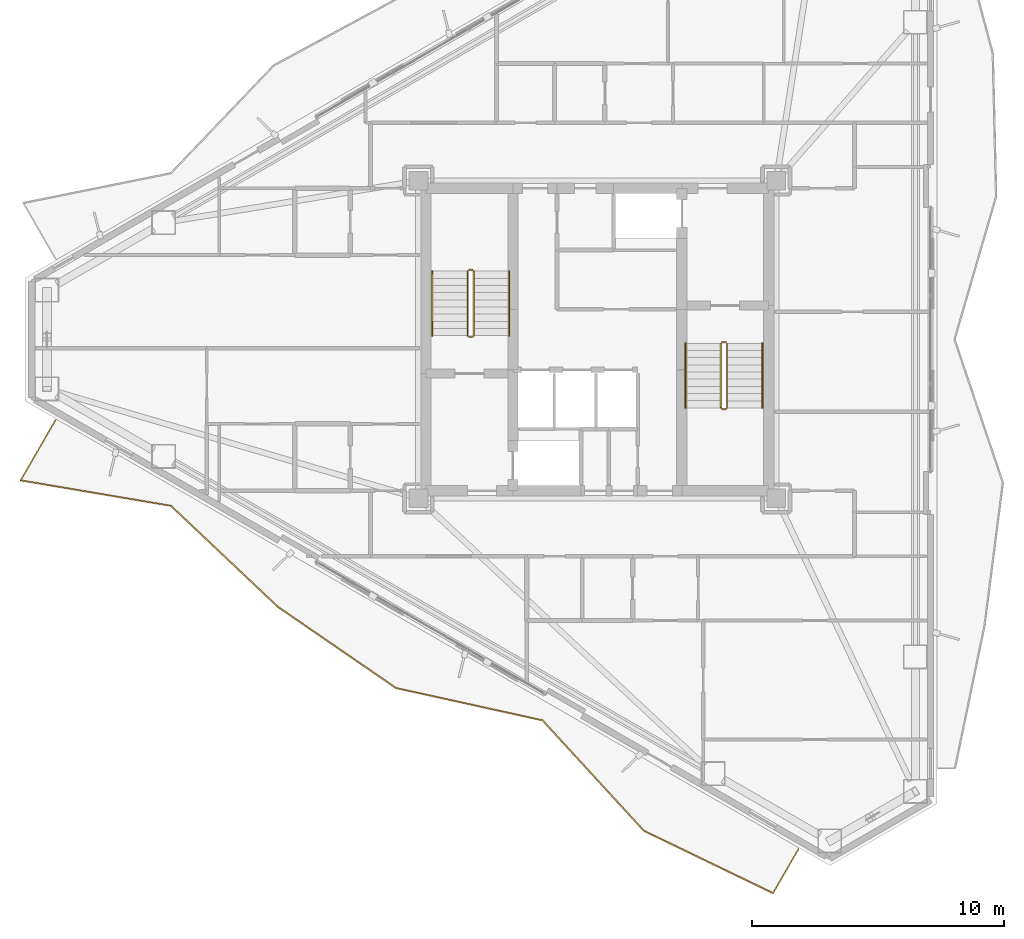
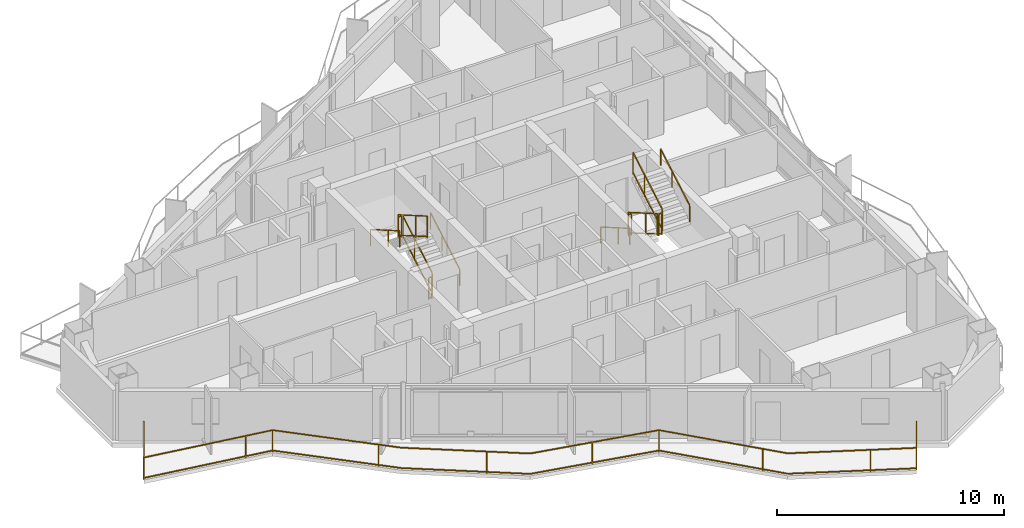
# One storey, part 18 of 19: 13 railings.
"""IFC4 building model written with IfcOpenShell, lengths in metres."""

from ifc_helpers import new_model, si_unit, direction, frame, origin, origin_2d, place, context, subcontext, project, spatial, rectangle, extrude, material, type_object, element, save


model = new_model("IFC4")

# Units and contexts
model_context = context("Model", 3, precision=1e-05, world=origin(), true_north=direction((0.0, 1.0)))
body_context = subcontext(model_context, "Body", "Model", "MODEL_VIEW")
ifc_project = project(units=[si_unit("LENGTHUNIT", "METRE"), si_unit("AREAUNIT", "SQUARE_METRE"), si_unit("VOLUMEUNIT", "CUBIC_METRE"), si_unit("PLANEANGLEUNIT", "RADIAN"), si_unit("MASSUNIT", "GRAM", prefix="KILO")], contexts=[model_context])

# Site, building, storey
site_placement = place(None, origin())
site = spatial("IfcSite", under=ifc_project, at=site_placement, CompositionType="ELEMENT")
building_placement = place(site_placement, origin())
building = spatial("IfcBuilding", under=site, at=building_placement, Name="Mersakhor Tower and Convention Hall", CompositionType="ELEMENT")
storey_placement = place(building_placement, frame((0.0, 0.0, 127.800048828125)))
storey = spatial("IfcBuildingStorey", under=building, at=storey_placement, Name="L35", CompositionType="ELEMENT", Elevation=127.800048828125)

# Railings
ifc_material_1 = material(Name="Powder-coated galvanised steel and laminated glass balustrade", Category="steel")
railing_type_1 = type_object("IfcRailingType", Name="RL-BAL-1200", PredefinedType="BALUSTRADE", material=ifc_material_1)
railing_1_placement = place(storey_placement, frame((7.497802734375, 23.5537109375, 0.0)))
element("IfcRailing", 1, at=railing_1_placement, inside=storey, type_object=railing_type_1, Name="L35 Sinusoidal Balcony Balustrade F3", PredefinedType="BALUSTRADE", context=body_context, shape_type="SweptSolid", body=[
    extrude(rectangle(XDim=0.048095703125, YDim=0.048095703125, at=origin_2d()), frame((0.0, 0.0, 1.17578125), z_axis=(-0.500003336238, -0.866023477598, 0.0), x_axis=(0.866023477598, -0.500003336238, 0.0)), (0.0, 0.0, 1.0), 2.7587890625),
    extrude(rectangle(XDim=0.048095703125, YDim=0.048095703125, at=origin_2d()), frame((0.0, 0.0, 0.080078125), z_axis=(-0.500003336238, -0.866023477598, 0.0), x_axis=(0.866023477598, -0.500003336238, 0.0)), (0.0, 0.0, 1.0), 2.7587890625),
    extrude(rectangle(XDim=0.048095703125, YDim=0.048095703125, at=origin_2d()), frame((-1.37939453125, -2.38916015625, 1.17578125), z_axis=(0.985955558616, -0.16700789333, 0.0), x_axis=(0.16700789333, 0.985955558616, 0.0)), (0.0, 0.0, 1.0), 6.053466796875),
    extrude(rectangle(XDim=0.048095703125, YDim=0.048095703125, at=origin_2d()), frame((-1.37939453125, -2.38916015625, 0.080078125), z_axis=(0.985955558616, -0.16700789333, 0.0), x_axis=(0.16700789333, 0.985955558616, 0.0)), (0.0, 0.0, 1.0), 6.053466796875),
    extrude(rectangle(XDim=0.048095703125, YDim=0.048095703125, at=origin_2d()), frame((4.589111328125, -3.400146484375, 1.17578125), z_axis=(0.726913312876, -0.686729230165, 0.0), x_axis=(0.686729230165, 0.726913312876, 0.0)), (0.0, 0.0, 1.0), 5.83251953125),
    extrude(rectangle(XDim=0.048095703125, YDim=0.048095703125, at=origin_2d()), frame((4.589111328125, -3.400146484375, 0.080078125), z_axis=(0.726913312876, -0.686729230165, 0.0), x_axis=(0.686729230165, 0.726913312876, 0.0)), (0.0, 0.0, 1.0), 5.83251953125),
    extrude(rectangle(XDim=0.048095703125, YDim=0.048095703125, at=origin_2d()), frame((8.828857421875, -7.405517578125, 1.17578125), z_axis=(0.82413452436, -0.566394108159, 0.0), x_axis=(0.566394108159, 0.82413452436, 0.0)), (0.0, 0.0, 1.0), 5.69189453125),
    extrude(rectangle(XDim=0.048095703125, YDim=0.048095703125, at=origin_2d()), frame((8.828857421875, -7.405517578125, 0.080078125), z_axis=(0.82413452436, -0.566394108159, 0.0), x_axis=(0.566394108159, 0.82413452436, 0.0)), (0.0, 0.0, 1.0), 5.69189453125),
    extrude(rectangle(XDim=0.048095703125, YDim=0.048095703125, at=origin_2d()), frame((13.519775390625, -10.62939453125, 1.17578125), z_axis=(0.976509305748, -0.215475232424, 0.0), x_axis=(0.215475232424, 0.976509305748, 0.0)), (0.0, 0.0, 1.0), 5.951904296875),
    extrude(rectangle(XDim=0.048095703125, YDim=0.048095703125, at=origin_2d()), frame((13.519775390625, -10.62939453125, 0.080078125), z_axis=(0.976509305748, -0.215475232424, 0.0), x_axis=(0.215475232424, 0.976509305748, 0.0)), (0.0, 0.0, 1.0), 5.951904296875),
    extrude(rectangle(XDim=0.048095703125, YDim=0.048095703125, at=origin_2d()), frame((19.331787109375, -11.911865234375, 1.17578125), z_axis=(0.676252305475, -0.736670088533, 0.0), x_axis=(0.736670088533, 0.676252305475, 0.0)), (0.0, 0.0, 1.0), 5.9482421875),
    extrude(rectangle(XDim=0.048095703125, YDim=0.048095703125, at=origin_2d()), frame((19.331787109375, -11.911865234375, 0.080078125), z_axis=(0.676252305475, -0.736670088533, 0.0), x_axis=(0.736670088533, 0.676252305475, 0.0)), (0.0, 0.0, 1.0), 5.9482421875),
    extrude(rectangle(XDim=0.048095703125, YDim=0.048095703125, at=origin_2d()), frame((23.354248046875, -16.293701171875, 1.17578125), z_axis=(0.900603762937, -0.434641072823, 0.0), x_axis=(0.434641072823, 0.900603762937, 0.0)), (0.0, 0.0, 1.0), 5.690185546875),
    extrude(rectangle(XDim=0.048095703125, YDim=0.048095703125, at=origin_2d()), frame((23.354248046875, -16.293701171875, 0.080078125), z_axis=(0.900603762937, -0.434641072823, 0.0), x_axis=(0.434641072823, 0.900603762937, 0.0)), (0.0, 0.0, 1.0), 5.690185546875),
    extrude(rectangle(XDim=0.048095703125, YDim=0.048095703125, at=origin_2d()), frame((28.478759765625, -18.766845703125, 1.17578125), z_axis=(0.499960381356, 0.866048276411, 0.0), x_axis=(-0.866048276411, 0.499960381356, 0.0)), (0.0, 0.0, 1.0), 2.013427734375),
    extrude(rectangle(XDim=0.048095703125, YDim=0.048095703125, at=origin_2d()), frame((28.478759765625, -18.766845703125, 0.080078125), z_axis=(0.499960381356, 0.866048276411, 0.0), x_axis=(-0.866048276411, 0.499960381356, 0.0)), (0.0, 0.0, 1.0), 2.013427734375),
    extrude(rectangle(XDim=0.0419921875, YDim=0.0419921875, at=origin_2d()), origin(), (0.0, 0.0, 1.0), 1.15185546875),
    extrude(rectangle(XDim=0.0419921875, YDim=0.0419921875, at=origin_2d()), frame((-1.37939453125, -2.38916015625, 0.0)), (0.0, 0.0, 1.0), 1.15185546875),
    extrude(rectangle(XDim=0.0419921875, YDim=0.0419921875, at=origin_2d()), frame((3.353271484375, -3.19091796875, 0.0)), (0.0, 0.0, 1.0), 1.15185546875),
    extrude(rectangle(XDim=0.0419921875, YDim=0.0419921875, at=origin_2d()), frame((4.589111328125, -3.400146484375, 0.0)), (0.0, 0.0, 1.0), 1.15185546875),
    extrude(rectangle(XDim=0.0419921875, YDim=0.0419921875, at=origin_2d()), frame((8.078369140625, -6.696533203125, 0.0)), (0.0, 0.0, 1.0), 1.15185546875),
    extrude(rectangle(XDim=0.0419921875, YDim=0.0419921875, at=origin_2d()), frame((11.933837890625, -9.539306640625, 0.0)), (0.0, 0.0, 1.0), 1.15185546875),
    extrude(rectangle(XDim=0.0419921875, YDim=0.0419921875, at=origin_2d()), frame((16.327880859375, -11.2490234375, 0.0)), (0.0, 0.0, 1.0), 1.15185546875),
    extrude(rectangle(XDim=0.0419921875, YDim=0.0419921875, at=origin_2d()), frame((19.331787109375, -11.911865234375, 0.0)), (0.0, 0.0, 1.0), 1.15185546875),
    extrude(rectangle(XDim=0.0419921875, YDim=0.0419921875, at=origin_2d()), frame((22.577880859375, -15.447998046875, 0.0)), (0.0, 0.0, 1.0), 1.15185546875),
    extrude(rectangle(XDim=0.0419921875, YDim=0.0419921875, at=origin_2d()), frame((26.64306640625, -17.880859375, 0.0)), (0.0, 0.0, 1.0), 1.15185546875),
    extrude(rectangle(XDim=0.0419921875, YDim=0.0419921875, at=origin_2d()), frame((28.478759765625, -18.766845703125, 0.0)), (0.0, 0.0, 1.0), 1.15185546875),
    extrude(rectangle(XDim=0.0419921875, YDim=0.0419921875, at=origin_2d()), frame((29.4853515625, -17.023193359375, 0.0)), (0.0, 0.0, 1.0), 1.15185546875),
])
ifc_material_2 = material(Name="Brushed stainless steel handrail", Category="steel")
railing_type_2 = type_object("IfcRailingType", Name="RL-HR-900", PredefinedType="HANDRAIL", material=ifc_material_2)
railing_2_placement = place(storey_placement, frame((25.5, 26.89990234375, 0.1650390625)))
element("IfcRailing", 2, at=railing_2_placement, inside=storey, type_object=railing_type_2, Name="L35 ST-1 stair handrail 1", PredefinedType="HANDRAIL", context=body_context, shape_type="SweptSolid", body=[
    extrude(rectangle(XDim=0.048095703125, YDim=0.048095703125, at=origin_2d()), frame((0.0, 0.0, 0.8759765625), z_axis=(0.0, 0.865461999751, 0.500974577186), x_axis=(-1.0, 0.0, 0.0)), (0.0, 0.0, 1.0), 2.9638671875),
    extrude(rectangle(XDim=0.0419921875, YDim=0.0419921875, at=origin_2d()), origin(), (0.0, 0.0, 1.0), 0.851806640625),
    extrude(rectangle(XDim=0.0419921875, YDim=0.0419921875, at=origin_2d()), frame((0.0, 1.557861328125, 0.90185546875)), (0.0, 0.0, 1.0), 0.851806640625),
    extrude(rectangle(XDim=0.0419921875, YDim=0.0419921875, at=origin_2d()), frame((0.0, 2.565185546875, 1.48486328125)), (0.0, 0.0, 1.0), 0.851806640625),
])
railing_3_placement = place(storey_placement, frame((22.449951171875, 29.465087890625, 1.81494140625)))
element("IfcRailing", 3, at=railing_3_placement, inside=storey, type_object=railing_type_2, Name="L35 ST-1 stair handrail 2", PredefinedType="HANDRAIL", context=body_context, shape_type="SweptSolid", body=[
    extrude(rectangle(XDim=0.048095703125, YDim=0.048095703125, at=origin_2d()), frame((0.0, 0.0, 0.8759765625), z_axis=(0.0, -0.865426285481, 0.501036270542), x_axis=(1.0, 0.0, 0.0)), (0.0, 0.0, 1.0), 2.964111328125),
    extrude(rectangle(XDim=0.0419921875, YDim=0.0419921875, at=origin_2d()), origin(), (0.0, 0.0, 1.0), 0.851806640625),
    extrude(rectangle(XDim=0.0419921875, YDim=0.0419921875, at=origin_2d()), frame((0.0, -1.557861328125, 0.90185546875)), (0.0, 0.0, 1.0), 0.851806640625),
    extrude(rectangle(XDim=0.0419921875, YDim=0.0419921875, at=origin_2d()), frame((0.0, -2.565185546875, 1.485107421875)), (0.0, 0.0, 1.0), 0.851806640625),
])
railing_4_placement = place(storey_placement, frame((32.5, 26.60009765625, 0.1650390625)))
element("IfcRailing", 4, at=railing_4_placement, inside=storey, type_object=railing_type_2, Name="L35 ST-2 stair handrail 1", PredefinedType="HANDRAIL", context=body_context, shape_type="SweptSolid", body=[
    extrude(rectangle(XDim=0.048095703125, YDim=0.048095703125, at=origin_2d()), frame((0.0, 0.0, 0.8759765625), z_axis=(0.0, -0.865461999751, 0.500974577186), x_axis=(1.0, 0.0, 0.0)), (0.0, 0.0, 1.0), 2.9638671875),
    extrude(rectangle(XDim=0.0419921875, YDim=0.0419921875, at=origin_2d()), origin(), (0.0, 0.0, 1.0), 0.851806640625),
    extrude(rectangle(XDim=0.0419921875, YDim=0.0419921875, at=origin_2d()), frame((0.0, -1.557861328125, 0.90185546875)), (0.0, 0.0, 1.0), 0.851806640625),
    extrude(rectangle(XDim=0.0419921875, YDim=0.0419921875, at=origin_2d()), frame((0.0, -2.565185546875, 1.48486328125)), (0.0, 0.0, 1.0), 0.851806640625),
])
railing_5_placement = place(storey_placement, frame((35.550048828125, 24.034912109375, 1.81494140625)))
element("IfcRailing", 5, at=railing_5_placement, inside=storey, type_object=railing_type_2, Name="L35 ST-2 stair handrail 2", PredefinedType="HANDRAIL", context=body_context, shape_type="SweptSolid", body=[
    extrude(rectangle(XDim=0.048095703125, YDim=0.048095703125, at=origin_2d()), frame((0.0, 0.0, 0.8759765625), z_axis=(0.0, 0.865426285481, 0.501036270542), x_axis=(-1.0, 0.0, 0.0)), (0.0, 0.0, 1.0), 2.964111328125),
    extrude(rectangle(XDim=0.0419921875, YDim=0.0419921875, at=origin_2d()), origin(), (0.0, 0.0, 1.0), 0.851806640625),
    extrude(rectangle(XDim=0.0419921875, YDim=0.0419921875, at=origin_2d()), frame((0.0, 1.557861328125, 0.90185546875)), (0.0, 0.0, 1.0), 0.851806640625),
    extrude(rectangle(XDim=0.0419921875, YDim=0.0419921875, at=origin_2d()), frame((0.0, 2.565185546875, 1.485107421875)), (0.0, 0.0, 1.0), 0.851806640625),
])
ifc_material_3 = material(Name="Painted steel stair balustrade S355", Category="steel")
railing_type_3 = type_object("IfcRailingType", Name="RL-STG-1200", PredefinedType="BALUSTRADE", material=ifc_material_3)
railing_6_placement = place(storey_placement, frame((24.10009765625, 26.89990234375, 0.1650390625)))
element("IfcRailing", 6, at=railing_6_placement, inside=storey, type_object=railing_type_3, Name="L35 ST-1 stair guard 1", PredefinedType="BALUSTRADE", context=body_context, shape_type="SweptSolid", body=[
    extrude(rectangle(XDim=0.048095703125, YDim=0.048095703125, at=origin_2d()), frame((0.0, 0.0, 1.17578125), z_axis=(0.0, 0.865461999751, 0.500974577186), x_axis=(-1.0, 0.0, 0.0)), (0.0, 0.0, 1.0), 2.9638671875),
    extrude(rectangle(XDim=0.048095703125, YDim=0.048095703125, at=origin_2d()), frame((0.0, 0.0, 0.080078125), z_axis=(0.0, 0.865461999751, 0.500974577186), x_axis=(-1.0, 0.0, 0.0)), (0.0, 0.0, 1.0), 2.9638671875),
    extrude(rectangle(XDim=0.0419921875, YDim=0.0419921875, at=origin_2d()), origin(), (0.0, 0.0, 1.0), 1.15185546875),
    extrude(rectangle(XDim=0.0419921875, YDim=0.0419921875, at=origin_2d()), frame((0.0, 1.557861328125, 0.90185546875)), (0.0, 0.0, 1.0), 1.15185546875),
    extrude(rectangle(XDim=0.0419921875, YDim=0.0419921875, at=origin_2d()), frame((0.0, 2.565185546875, 1.48486328125)), (0.0, 0.0, 1.0), 1.15185546875),
])
railing_7_placement = place(storey_placement, frame((24.050048828125, 29.514892578125, 1.64990234375)))
element("IfcRailing", 7, at=railing_7_placement, inside=storey, type_object=railing_type_3, Name="L35 ST-1 stair guard 2", PredefinedType="BALUSTRADE", context=body_context, shape_type="SweptSolid", body=[
    extrude(rectangle(XDim=0.048095703125, YDim=0.048095703125, at=origin_2d()), frame((0.0, 0.0, 1.17578125), z_axis=(-1.0, 0.0, 0.0), x_axis=(0.0, -1.0, 0.0)), (0.0, 0.0, 1.0), 0.150146484375),
    extrude(rectangle(XDim=0.048095703125, YDim=0.048095703125, at=origin_2d()), frame((0.0, 0.0, 0.080078125), z_axis=(-1.0, 0.0, 0.0), x_axis=(0.0, -1.0, 0.0)), (0.0, 0.0, 1.0), 0.150146484375),
    extrude(rectangle(XDim=0.0419921875, YDim=0.0419921875, at=origin_2d()), origin(), (0.0, 0.0, 1.0), 1.15185546875),
    extrude(rectangle(XDim=0.0419921875, YDim=0.0419921875, at=origin_2d()), frame((-0.150146484375, 0.0, 0.0)), (0.0, 0.0, 1.0), 1.15185546875),
])
railing_8_placement = place(storey_placement, frame((23.85009765625, 29.465087890625, 1.81494140625)))
element("IfcRailing", 8, at=railing_8_placement, inside=storey, type_object=railing_type_3, Name="L35 ST-1 stair guard 3", PredefinedType="BALUSTRADE", context=body_context, shape_type="SweptSolid", body=[
    extrude(rectangle(XDim=0.048095703125, YDim=0.048095703125, at=origin_2d()), frame((0.0, 0.0, 1.17578125), z_axis=(0.0, -0.865426285481, 0.501036270542), x_axis=(1.0, 0.0, 0.0)), (0.0, 0.0, 1.0), 2.964111328125),
    extrude(rectangle(XDim=0.048095703125, YDim=0.048095703125, at=origin_2d()), frame((0.0, 0.0, 0.080078125), z_axis=(0.0, -0.865426285481, 0.501036270542), x_axis=(1.0, 0.0, 0.0)), (0.0, 0.0, 1.0), 2.964111328125),
    extrude(rectangle(XDim=0.0419921875, YDim=0.0419921875, at=origin_2d()), origin(), (0.0, 0.0, 1.0), 1.15185546875),
    extrude(rectangle(XDim=0.0419921875, YDim=0.0419921875, at=origin_2d()), frame((0.0, -1.557861328125, 0.90185546875)), (0.0, 0.0, 1.0), 1.15185546875),
    extrude(rectangle(XDim=0.0419921875, YDim=0.0419921875, at=origin_2d()), frame((0.0, -2.565185546875, 1.485107421875)), (0.0, 0.0, 1.0), 1.15185546875),
])
railing_9_placement = place(storey_placement, frame((24.050048828125, 26.85009765625, 0.0)))
element("IfcRailing", 9, at=railing_9_placement, inside=storey, type_object=railing_type_3, Name="L35 ST-1 stair guard 4", PredefinedType="BALUSTRADE", context=body_context, shape_type="SweptSolid", body=[
    extrude(rectangle(XDim=0.048095703125, YDim=0.048095703125, at=origin_2d()), frame((0.0, 0.0, 1.17578125), z_axis=(-1.0, 0.0, 0.0), x_axis=(0.0, -1.0, 0.0)), (0.0, 0.0, 1.0), 0.150146484375),
    extrude(rectangle(XDim=0.048095703125, YDim=0.048095703125, at=origin_2d()), frame((0.0, 0.0, 0.080078125), z_axis=(-1.0, 0.0, 0.0), x_axis=(0.0, -1.0, 0.0)), (0.0, 0.0, 1.0), 0.150146484375),
    extrude(rectangle(XDim=0.0419921875, YDim=0.0419921875, at=origin_2d()), origin(), (0.0, 0.0, 1.0), 1.15185546875),
    extrude(rectangle(XDim=0.0419921875, YDim=0.0419921875, at=origin_2d()), frame((-0.150146484375, 0.0, 0.0)), (0.0, 0.0, 1.0), 1.15185546875),
])
railing_10_placement = place(storey_placement, frame((33.89990234375, 26.60009765625, 0.1650390625)))
element("IfcRailing", 10, at=railing_10_placement, inside=storey, type_object=railing_type_3, Name="L35 ST-2 stair guard 1", PredefinedType="BALUSTRADE", context=body_context, shape_type="SweptSolid", body=[
    extrude(rectangle(XDim=0.048095703125, YDim=0.048095703125, at=origin_2d()), frame((0.0, 0.0, 1.17578125), z_axis=(0.0, -0.865461999751, 0.500974577186), x_axis=(1.0, 0.0, 0.0)), (0.0, 0.0, 1.0), 2.9638671875),
    extrude(rectangle(XDim=0.048095703125, YDim=0.048095703125, at=origin_2d()), frame((0.0, 0.0, 0.080078125), z_axis=(0.0, -0.865461999751, 0.500974577186), x_axis=(1.0, 0.0, 0.0)), (0.0, 0.0, 1.0), 2.9638671875),
    extrude(rectangle(XDim=0.0419921875, YDim=0.0419921875, at=origin_2d()), origin(), (0.0, 0.0, 1.0), 1.15185546875),
    extrude(rectangle(XDim=0.0419921875, YDim=0.0419921875, at=origin_2d()), frame((0.0, -1.557861328125, 0.90185546875)), (0.0, 0.0, 1.0), 1.15185546875),
    extrude(rectangle(XDim=0.0419921875, YDim=0.0419921875, at=origin_2d()), frame((0.0, -2.565185546875, 1.48486328125)), (0.0, 0.0, 1.0), 1.15185546875),
])
railing_11_placement = place(storey_placement, frame((33.949951171875, 23.985107421875, 1.64990234375)))
element("IfcRailing", 11, at=railing_11_placement, inside=storey, type_object=railing_type_3, Name="L35 ST-2 stair guard 2", PredefinedType="BALUSTRADE", context=body_context, shape_type="SweptSolid", body=[
    extrude(rectangle(XDim=0.048095703125, YDim=0.048095703125, at=origin_2d()), frame((0.0, 0.0, 1.17578125), z_axis=(1.0, 0.0, 0.0), x_axis=(0.0, 1.0, 0.0)), (0.0, 0.0, 1.0), 0.150146484375),
    extrude(rectangle(XDim=0.048095703125, YDim=0.048095703125, at=origin_2d()), frame((0.0, 0.0, 0.080078125), z_axis=(1.0, 0.0, 0.0), x_axis=(0.0, 1.0, 0.0)), (0.0, 0.0, 1.0), 0.150146484375),
    extrude(rectangle(XDim=0.0419921875, YDim=0.0419921875, at=origin_2d()), origin(), (0.0, 0.0, 1.0), 1.15185546875),
    extrude(rectangle(XDim=0.0419921875, YDim=0.0419921875, at=origin_2d()), frame((0.150146484375, 0.0, 0.0)), (0.0, 0.0, 1.0), 1.15185546875),
])
railing_12_placement = place(storey_placement, frame((34.14990234375, 24.034912109375, 1.81494140625)))
element("IfcRailing", 12, at=railing_12_placement, inside=storey, type_object=railing_type_3, Name="L35 ST-2 stair guard 3", PredefinedType="BALUSTRADE", context=body_context, shape_type="SweptSolid", body=[
    extrude(rectangle(XDim=0.048095703125, YDim=0.048095703125, at=origin_2d()), frame((0.0, 0.0, 1.17578125), z_axis=(0.0, 0.865426285481, 0.501036270542), x_axis=(-1.0, 0.0, 0.0)), (0.0, 0.0, 1.0), 2.964111328125),
    extrude(rectangle(XDim=0.048095703125, YDim=0.048095703125, at=origin_2d()), frame((0.0, 0.0, 0.080078125), z_axis=(0.0, 0.865426285481, 0.501036270542), x_axis=(-1.0, 0.0, 0.0)), (0.0, 0.0, 1.0), 2.964111328125),
    extrude(rectangle(XDim=0.0419921875, YDim=0.0419921875, at=origin_2d()), origin(), (0.0, 0.0, 1.0), 1.15185546875),
    extrude(rectangle(XDim=0.0419921875, YDim=0.0419921875, at=origin_2d()), frame((0.0, 1.557861328125, 0.90185546875)), (0.0, 0.0, 1.0), 1.15185546875),
    extrude(rectangle(XDim=0.0419921875, YDim=0.0419921875, at=origin_2d()), frame((0.0, 2.565185546875, 1.485107421875)), (0.0, 0.0, 1.0), 1.15185546875),
])
railing_13_placement = place(storey_placement, frame((33.949951171875, 26.64990234375, 0.0)))
element("IfcRailing", 13, at=railing_13_placement, inside=storey, type_object=railing_type_3, Name="L35 ST-2 stair guard 4", PredefinedType="BALUSTRADE", context=body_context, shape_type="SweptSolid", body=[
    extrude(rectangle(XDim=0.048095703125, YDim=0.048095703125, at=origin_2d()), frame((0.0, 0.0, 1.17578125), z_axis=(1.0, 0.0, 0.0), x_axis=(0.0, 1.0, 0.0)), (0.0, 0.0, 1.0), 0.150146484375),
    extrude(rectangle(XDim=0.048095703125, YDim=0.048095703125, at=origin_2d()), frame((0.0, 0.0, 0.080078125), z_axis=(1.0, 0.0, 0.0), x_axis=(0.0, 1.0, 0.0)), (0.0, 0.0, 1.0), 0.150146484375),
    extrude(rectangle(XDim=0.0419921875, YDim=0.0419921875, at=origin_2d()), origin(), (0.0, 0.0, 1.0), 1.15185546875),
    extrude(rectangle(XDim=0.0419921875, YDim=0.0419921875, at=origin_2d()), frame((0.150146484375, 0.0, 0.0)), (0.0, 0.0, 1.0), 1.15185546875),
])

save(model, "model.ifc")
